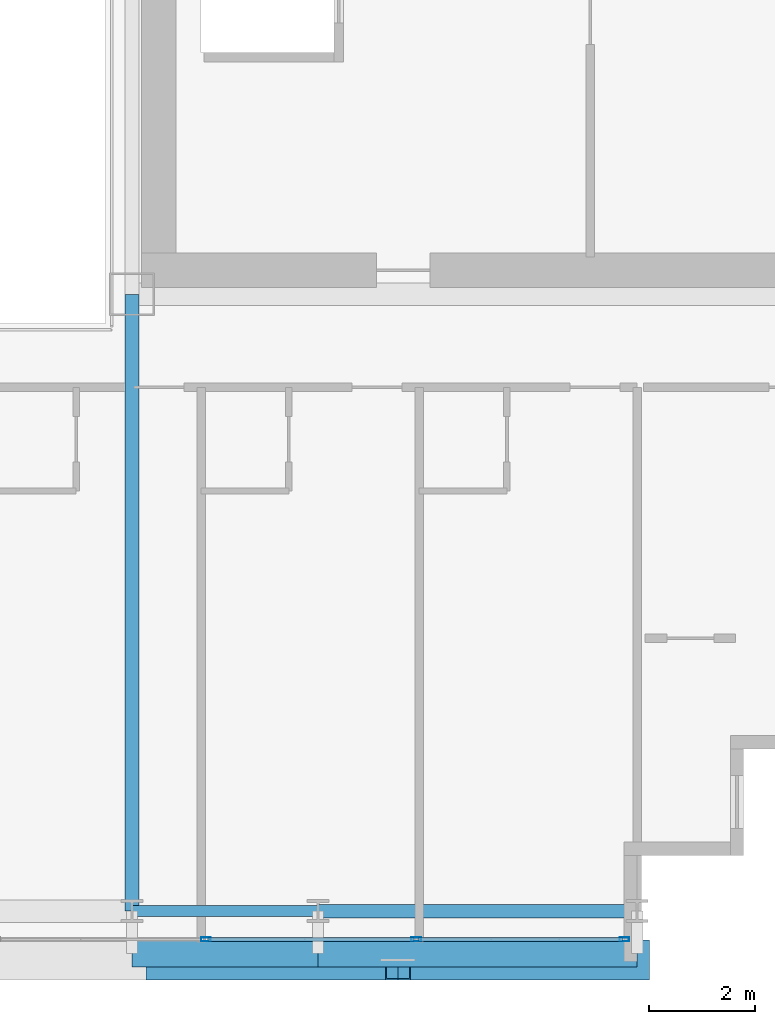
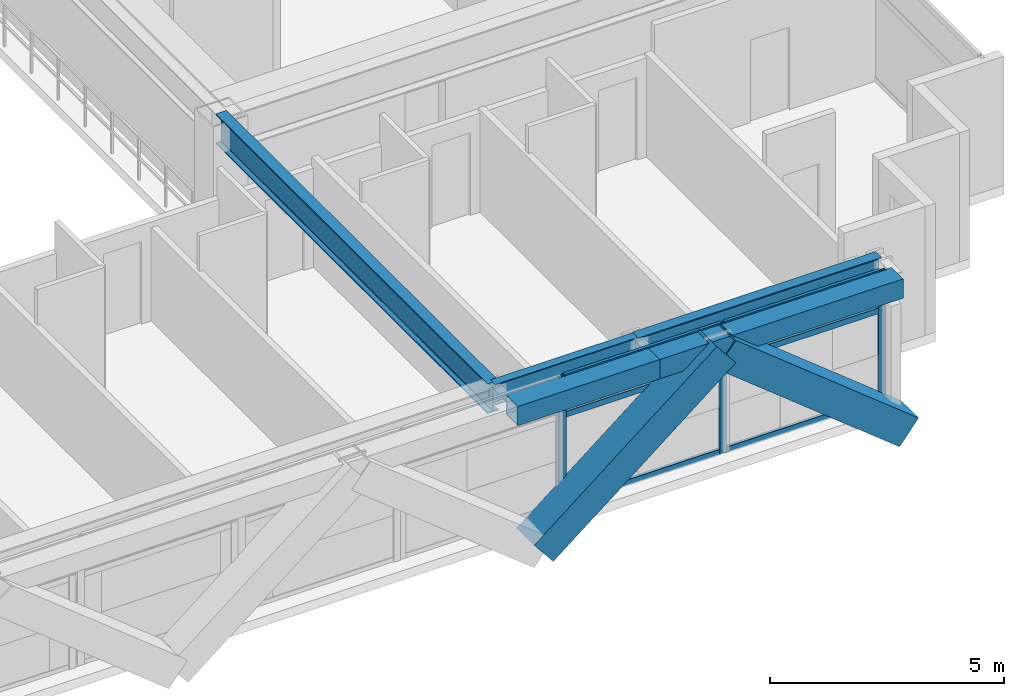
# One storey, part 10 of 36: 11 members, 5 beams, 1 element without a shape of its own.
"""IFC4 building model written with IfcOpenShell, lengths in metres."""

from ifc_helpers import new_model, si_unit, direction, frame, origin, origin_2d, place, context, subcontext, project, spatial, hollow_rectangle, i_section, extrude, source, transform, mapped, material, layer, layer_set, material_profile, profile_set, type_object, element, aggregate, save


model = new_model("IFC4")

# Units and contexts
model_context = context("Model", 3, precision=1e-05, world=origin(), true_north=direction((0.0, 1.0)))
body_context = subcontext(model_context, "Body", "Model", "MODEL_VIEW")
ifc_project = project(units=[si_unit("LENGTHUNIT", "METRE"), si_unit("AREAUNIT", "SQUARE_METRE"), si_unit("VOLUMEUNIT", "CUBIC_METRE"), si_unit("PLANEANGLEUNIT", "RADIAN"), si_unit("MASSUNIT", "GRAM", prefix="KILO")], contexts=[model_context])

# Site, building, storey
site_placement = place(None, origin())
site = spatial("IfcSite", under=ifc_project, at=site_placement, CompositionType="ELEMENT")
building_placement = place(site_placement, origin())
building = spatial("IfcBuilding", under=site, at=building_placement, Name="Ocotamira Hotel", CompositionType="ELEMENT")
storey_placement = place(building_placement, frame((0.0, 0.0, 133.199951171875)))
storey = spatial("IfcBuildingStorey", under=building, at=storey_placement, Name="L33", CompositionType="ELEMENT", Elevation=133.199951171875)

# Beams
ifc_material_1 = material(Name="Steel ASTM A992 Grade 50", Category="steel")
ifc_material_profile_1 = material_profile(ifc_material_1, i_section(OverallWidth=0.256103515625, OverallDepth=0.693115234375, WebThickness=0.014404296875, FlangeThickness=0.023681640625, FilletRadius=0.01611328125, at=origin_2d()), Name="W27X114")
ifc_profile_set_1 = profile_set([ifc_material_profile_1], Name="Steel ASTM A992 Grade 50")
beam_type_1 = type_object("IfcBeamType", Name="BM-PRIM-W27X114", PredefinedType="BEAM", material=ifc_profile_set_1)
shared_shape_1 = source(origin(), body_context, "Body", "SweptSolid", [
    extrude(i_section(OverallWidth=0.256103515625, OverallDepth=0.693115234375, WebThickness=0.014404296875, FlangeThickness=0.023681640625, FilletRadius=0.01611328125, at=origin_2d()), origin(), (0.0, 0.0, 1.0), 6.0),
])
beam_1_placement = place(storey_placement, frame((44.0, 2.949951171875, 3.013427734375), z_axis=(1.0, 0.0, 0.0), x_axis=(0.0, 1.0, 0.0)))
element("IfcBeam", 1, at=beam_1_placement, inside=storey, type_object=beam_type_1, Name="L33 Girder Y2.95 X44-50", PredefinedType="BEAM", context=body_context, shape_type="MappedRepresentation", body=[
    mapped(shared_shape_1, transform((0.0, 0.0, 0.0), scale=1.0)),
])
ifc_material_profile_2 = material_profile(ifc_material_1, i_section(OverallWidth=0.2099609375, OverallDepth=0.537109375, WebThickness=0.010986328125, FlangeThickness=0.017333984375, FilletRadius=0.012939453125, at=origin_2d()), Name="W21X68")
ifc_profile_set_2 = profile_set([ifc_material_profile_2], Name="Steel ASTM A992 Grade 50")
beam_type_2 = type_object("IfcBeamType", Name="BM-SEC-W21X68", PredefinedType="JOIST", material=ifc_profile_set_2)
shared_shape_2 = source(origin(), body_context, "Body", "SweptSolid", [
    extrude(i_section(OverallWidth=0.2099609375, OverallDepth=0.537109375, WebThickness=0.010986328125, FlangeThickness=0.017333984375, FilletRadius=0.012939453125, at=origin_2d()), origin(), (0.0, 0.0, 1.0), 3.5),
])
beam_2_placement = place(storey_placement, frame((40.5, 2.949951171875, 3.091552734375), z_axis=(1.0, 0.0, 0.0), x_axis=(0.0, 1.0, 0.0)))
element("IfcBeam", 2, at=beam_2_placement, inside=storey, type_object=beam_type_2, Name="L33 Girder Y2.95 X40.5-44", PredefinedType="JOIST", context=body_context, shape_type="MappedRepresentation", body=[
    mapped(shared_shape_2, transform((0.0, 0.0, 0.0), scale=1.0)),
])
ifc_material_profile_3 = material_profile(ifc_material_1, i_section(OverallWidth=0.26611328125, OverallDepth=0.779052734375, WebThickness=0.0166015625, FlangeThickness=0.030029296875, FilletRadius=0.01806640625, at=origin_2d()), Name="W30X148")
ifc_profile_set_3 = profile_set([ifc_material_profile_3], Name="Steel ASTM A992 Grade 50")
beam_type_3 = type_object("IfcBeamType", Name="BM-GIRD-W30X148", PredefinedType="BEAM", material=ifc_profile_set_3)
shared_shape_3 = source(origin(), body_context, "Body", "SweptSolid", [
    extrude(i_section(OverallWidth=0.26611328125, OverallDepth=0.779052734375, WebThickness=0.0166015625, FlangeThickness=0.030029296875, FilletRadius=0.01806640625, at=origin_2d()), origin(), (0.0, 0.0, 1.0), 11.60009765625),
])
beam_3_placement = place(storey_placement, frame((40.5, 2.949951171875, 2.970458984375), z_axis=(0.0, 1.0, 0.0), x_axis=(-1.0, 0.0, 0.0)))
element("IfcBeam", 3, at=beam_3_placement, inside=storey, type_object=beam_type_3, Name="L33 Beam X40.5 Y2.95-14.55", PredefinedType="BEAM", context=body_context, shape_type="MappedRepresentation", body=[
    mapped(shared_shape_3, transform((0.0, 0.0, 0.0), scale=1.0)),
])
ifc_material_2 = material(Name="Steel ASTM A500 Grade C", Category="steel")
ifc_material_profile_4 = material_profile(ifc_material_2, hollow_rectangle(XDim=0.5, YDim=0.5, WallThickness=0.02001953125, at=origin_2d()), Name="HSS500X500X20")
ifc_profile_set_4 = profile_set([ifc_material_profile_4], Name="Steel ASTM A500 Grade C")
beam_type_4 = type_object("IfcBeamType", Name="BM-SPAN-HSS500", PredefinedType="USERDEFINED", material=ifc_profile_set_4)
shared_shape_4 = source(origin(), body_context, "Body", "SweptSolid", [
    extrude(hollow_rectangle(XDim=0.5, YDim=0.5, WallThickness=0.02001953125, at=origin_2d()), origin(), (0.0, 0.0, 1.0), 6.0),
])
beam_4_placement = place(storey_placement, frame((44.0, 2.14990234375, 3.110107421875), z_axis=(1.0, 0.0, 0.0), x_axis=(0.0, 1.0, 0.0)))
element("IfcBeam", 4, at=beam_4_placement, inside=storey, type_object=beam_type_4, Name="L33 Edge Spandrel S X44-50", ObjectType="SPANDREL", PredefinedType="USERDEFINED", context=body_context, shape_type="MappedRepresentation", body=[
    mapped(shared_shape_4, transform((0.0, 0.0, 0.0), scale=1.0)),
])
shared_shape_5 = source(origin(), body_context, "Body", "SweptSolid", [
    extrude(hollow_rectangle(XDim=0.5, YDim=0.5, WallThickness=0.02001953125, at=origin_2d()), origin(), (0.0, 0.0, 1.0), 3.5),
])
beam_5_placement = place(storey_placement, frame((40.5, 2.14990234375, 3.110107421875), z_axis=(1.0, 0.0, 0.0), x_axis=(0.0, 1.0, 0.0)))
element("IfcBeam", 5, at=beam_5_placement, inside=storey, type_object=beam_type_4, Name="L33 Edge Spandrel S X40.5-44", ObjectType="SPANDREL", PredefinedType="USERDEFINED", context=body_context, shape_type="MappedRepresentation", body=[
    mapped(shared_shape_5, transform((0.0, 0.0, 0.0), scale=1.0)),
])

# Members
ifc_material_3 = material(Name="Pale-metal coated steel ASTM A913 Grade 65", Category="steel")
ifc_material_profile_5 = material_profile(ifc_material_3, hollow_rectangle(XDim=0.75, YDim=0.75, WallThickness=0.028076171875, at=origin_2d()), Name="BOX750X750X28")
ifc_profile_set_5 = profile_set([ifc_material_profile_5], Name="Pale-metal coated steel ASTM A913 Grade 65")
member_type_1 = type_object("IfcMemberType", Name="MEM-EXO-BOX750", PredefinedType="BRACE", material=ifc_profile_set_5)
shared_shape_6 = source(origin(), body_context, "Body", "SweptSolid", [
    extrude(hollow_rectangle(XDim=0.75, YDim=0.75, WallThickness=0.028076171875, at=origin_2d()), origin(), (0.0, 0.0, 1.0), 5.762939453125),
])
for number, where, z_axis, x_axis, name in (
    (6, (41.0, 2.030029296875, -0.489990234375), (0.780860543151, 0.0, 0.624705380279), (0.0, 1.0, 0.0), "L33 Exoskeleton Diagrid S3.1"),
    (7, (50.0, 2.030029296875, -0.489990234375), (-0.780860543151, 0.0, 0.624705380279), (0.0, -1.0, 0.0), "L33 Exoskeleton Diagrid S3.2"),
):
    element("IfcMember", number, at=place(storey_placement, frame(where, z_axis=z_axis, x_axis=x_axis)), inside=storey, type_object=member_type_1, Name=name, PredefinedType="BRACE", context=body_context, shape_type="MappedRepresentation", body=[
        mapped(shared_shape_6, transform((0.0, 0.0, 0.0), scale=1.0)),
    ])

# Curtain wall, members
ifc_material_4 = material(Name="Anodised pale-metal aluminium and solar glass", Category="aluminium")
ifc_layer = layer(ifc_material_4, 0.179931640625)
ifc_layer_set = layer_set([ifc_layer], Name="Anodised pale-metal aluminium and solar glass")
curtain_wall_type = type_object("IfcCurtainWallType", Name="CW-SYS3-Z2", PredefinedType="NOTDEFINED", material=ifc_layer_set)
curtain_wall_placement = place(storey_placement, origin())
curtain_wall = element("IfcCurtainWall", 8, at=curtain_wall_placement, inside=storey, type_object=curtain_wall_type, Name="L33 Curtain Wall CW-3 CW-L33-S1", PredefinedType="NOTDEFINED")
ifc_material_5 = material(Name="Anodised pale-metal aluminium 6063-T6", Category="aluminium")
ifc_material_profile_6 = material_profile(ifc_material_5, hollow_rectangle(XDim=0.074951171875, YDim=0.14990234375, WallThickness=0.006103515625, at=origin_2d()), Name="HSS150X75X6")
ifc_profile_set_6 = profile_set([ifc_material_profile_6], Name="Anodised pale-metal aluminium 6063-T6")
member_type_2 = type_object("IfcMemberType", Name="CWT-150X75", PredefinedType="USERDEFINED", material=ifc_profile_set_6)
shared_shape_7 = source(origin(), body_context, "Body", "SweptSolid", [
    extrude(hollow_rectangle(XDim=0.074951171875, YDim=0.14990234375, WallThickness=0.006103515625, at=origin_2d()), origin(), (0.0, 0.0, 1.0), 3.83544921875),
])
member_1_placement = place(storey_placement, frame((45.884521484375, 2.419921875, 0.03759765625), z_axis=(1.0, 0.0, 0.0), x_axis=(0.0, 1.0, 0.0)))
member_1 = element("IfcMember", 9, at=member_1_placement, type_object=member_type_2, Name="CW-3 transom 9.1", ObjectType="TRANSOM", PredefinedType="USERDEFINED", context=body_context, shape_type="MappedRepresentation", body=[
    mapped(shared_shape_7, transform((0.0, 0.0, 0.0), scale=1.0)),
])
member_2_placement = place(storey_placement, frame((45.884521484375, 2.419921875, 2.35009765625), z_axis=(1.0, 0.0, 0.0), x_axis=(0.0, 1.0, 0.0)))
member_2 = element("IfcMember", 10, at=member_2_placement, type_object=member_type_2, Name="CW-3 transom 9.2", ObjectType="TRANSOM", PredefinedType="USERDEFINED", context=body_context, shape_type="MappedRepresentation", body=[
    mapped(shared_shape_7, transform((0.0, 0.0, 0.0), scale=1.0)),
])
member_3_placement = place(storey_placement, frame((45.884521484375, 2.419921875, 3.322509765625), z_axis=(1.0, 0.0, 0.0), x_axis=(0.0, 1.0, 0.0)))
member_3 = element("IfcMember", 11, at=member_3_placement, type_object=member_type_2, Name="CW-3 transom 9.3", ObjectType="TRANSOM", PredefinedType="USERDEFINED", context=body_context, shape_type="MappedRepresentation", body=[
    mapped(shared_shape_7, transform((0.0, 0.0, 0.0), scale=1.0)),
])
shared_shape_8 = source(origin(), body_context, "Body", "SweptSolid", [
    extrude(hollow_rectangle(XDim=0.074951171875, YDim=0.14990234375, WallThickness=0.006103515625, at=origin_2d()), origin(), (0.0, 0.0, 1.0), 3.87548828125),
])
member_4_placement = place(storey_placement, frame((41.928955078125, 2.419921875, 0.03759765625), z_axis=(1.0, 0.0, 0.0), x_axis=(0.0, 1.0, 0.0)))
member_4 = element("IfcMember", 12, at=member_4_placement, type_object=member_type_2, Name="CW-3 transom 8.1", ObjectType="TRANSOM", PredefinedType="USERDEFINED", context=body_context, shape_type="MappedRepresentation", body=[
    mapped(shared_shape_8, transform((0.0, 0.0, 0.0), scale=1.0)),
])
member_5_placement = place(storey_placement, frame((41.928955078125, 2.419921875, 2.35009765625), z_axis=(1.0, 0.0, 0.0), x_axis=(0.0, 1.0, 0.0)))
member_5 = element("IfcMember", 13, at=member_5_placement, type_object=member_type_2, Name="CW-3 transom 8.2", ObjectType="TRANSOM", PredefinedType="USERDEFINED", context=body_context, shape_type="MappedRepresentation", body=[
    mapped(shared_shape_8, transform((0.0, 0.0, 0.0), scale=1.0)),
])
member_6_placement = place(storey_placement, frame((41.928955078125, 2.419921875, 3.322509765625), z_axis=(1.0, 0.0, 0.0), x_axis=(0.0, 1.0, 0.0)))
member_6 = element("IfcMember", 14, at=member_6_placement, type_object=member_type_2, Name="CW-3 transom 8.3", ObjectType="TRANSOM", PredefinedType="USERDEFINED", context=body_context, shape_type="MappedRepresentation", body=[
    mapped(shared_shape_8, transform((0.0, 0.0, 0.0), scale=1.0)),
])
ifc_material_profile_7 = material_profile(ifc_material_5, hollow_rectangle(XDim=0.080078125, YDim=0.179931640625, WallThickness=0.006103515625, at=origin_2d()), Name="HSS180X80X6")
ifc_profile_set_7 = profile_set([ifc_material_profile_7], Name="Anodised pale-metal aluminium 6063-T6")
member_type_3 = type_object("IfcMemberType", Name="CWM-180X75", PredefinedType="MULLION", material=ifc_profile_set_7)
shared_shape_9 = source(origin(), body_context, "Body", "SweptSolid", [
    extrude(hollow_rectangle(XDim=0.080078125, YDim=0.179931640625, WallThickness=0.006103515625, at=origin_2d()), origin(), (0.0, 0.0, 1.0), 3.360107421875),
])
member_7_placement = place(storey_placement, frame((41.888916015625, 2.419921875, 0.0), z_axis=(0.0, 0.0, 1.0), x_axis=(0.0, 1.0, 0.0)))
member_7 = element("IfcMember", 15, at=member_7_placement, type_object=member_type_3, Name="CW-3 mullion 8", PredefinedType="MULLION", context=body_context, shape_type="MappedRepresentation", body=[
    mapped(shared_shape_9, transform((0.0, 0.0, 0.0), scale=1.0)),
])
member_8_placement = place(storey_placement, frame((45.844482421875, 2.419921875, 0.0), z_axis=(0.0, 0.0, 1.0), x_axis=(0.0, 1.0, 0.0)))
member_8 = element("IfcMember", 16, at=member_8_placement, type_object=member_type_3, Name="CW-3 mullion 9", PredefinedType="MULLION", context=body_context, shape_type="MappedRepresentation", body=[
    mapped(shared_shape_9, transform((0.0, 0.0, 0.0), scale=1.0)),
])
member_9_placement = place(storey_placement, frame((49.760009765625, 2.419921875, 0.0), z_axis=(0.0, 0.0, 1.0), x_axis=(0.0, 1.0, 0.0)))
member_9 = element("IfcMember", 17, at=member_9_placement, type_object=member_type_3, Name="CW-3 mullion 10", PredefinedType="MULLION", context=body_context, shape_type="MappedRepresentation", body=[
    mapped(shared_shape_9, transform((0.0, 0.0, 0.0), scale=1.0)),
])
aggregate(curtain_wall, [member_7, member_8, member_9, member_4, member_5, member_6, member_1, member_2, member_3])

save(model, "model.ifc")
